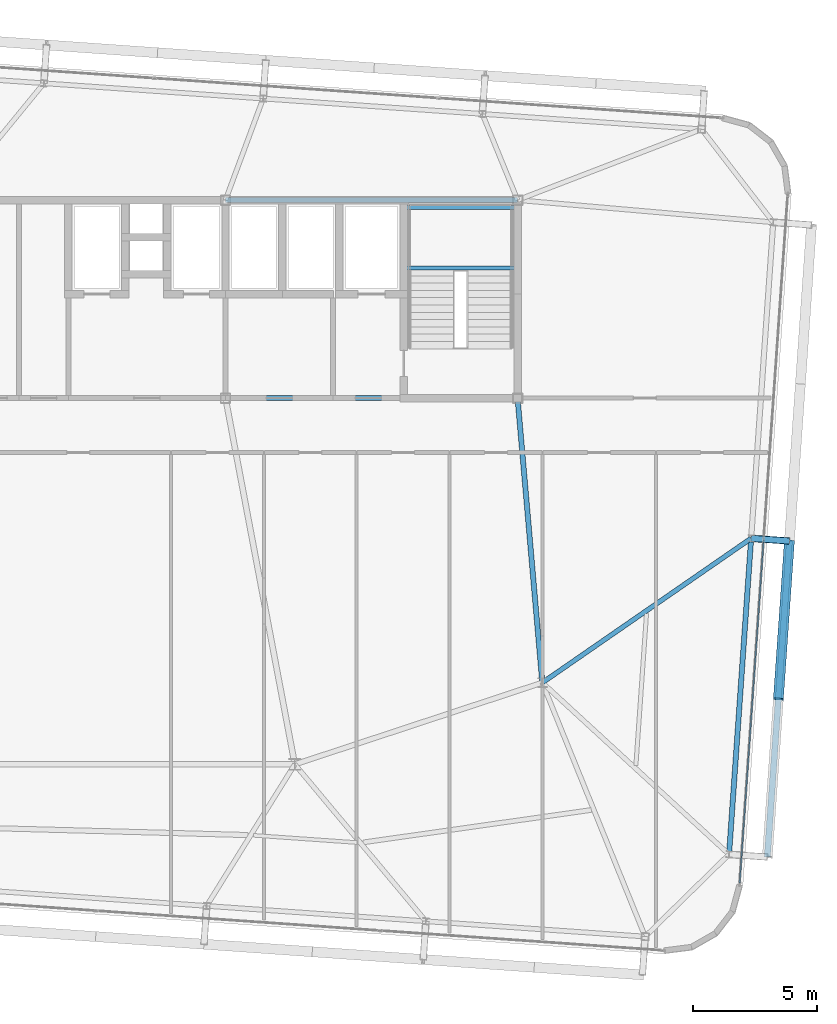
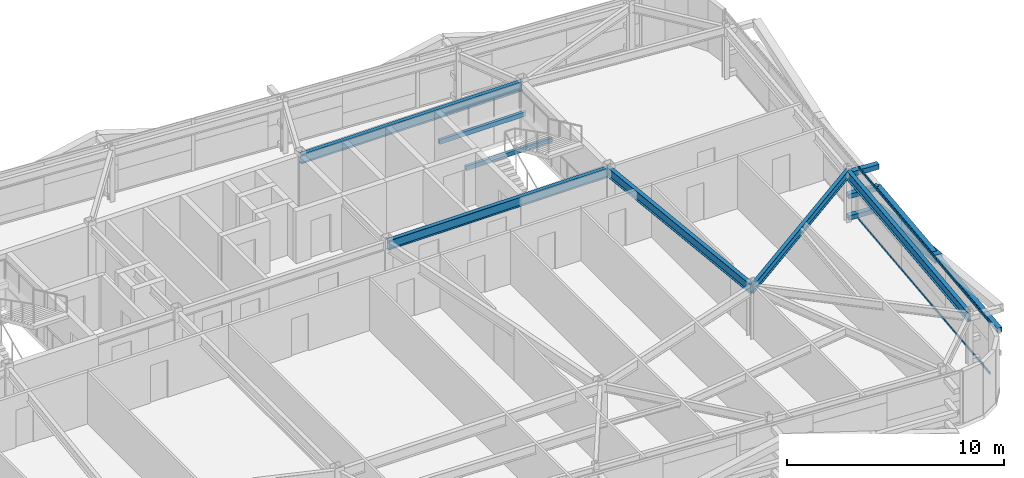
# One storey, part 16 of 39: 7 beams, 7 members, 1 element without a shape of its own.
"""IFC4 building model written with IfcOpenShell, lengths in metres."""

from ifc_helpers import new_model, si_unit, direction, frame, origin, origin_2d, place, context, subcontext, project, spatial, hollow_rectangle, i_section, extrude, source, transform, mapped, material, layer, layer_set, material_profile, profile_set, type_object, element, aggregate, save


model = new_model("IFC4")

# Units and contexts
model_context = context("Model", 3, precision=1e-05, world=origin(), true_north=direction((0.0, 1.0)))
body_context = subcontext(model_context, "Body", "Model", "MODEL_VIEW")
ifc_project = project(units=[si_unit("LENGTHUNIT", "METRE"), si_unit("AREAUNIT", "SQUARE_METRE"), si_unit("VOLUMEUNIT", "CUBIC_METRE"), si_unit("PLANEANGLEUNIT", "RADIAN"), si_unit("MASSUNIT", "GRAM", prefix="KILO")], contexts=[model_context])

# Site, building, storey
site_placement = place(None, origin())
site = spatial("IfcSite", under=ifc_project, at=site_placement, CompositionType="ELEMENT")
building_placement = place(site_placement, origin())
building = spatial("IfcBuilding", under=site, at=building_placement, Name="Taldren Reach Tower", CompositionType="ELEMENT")
storey_placement = place(building_placement, frame((0.0, 0.0, 136.14990234375)))
storey = spatial("IfcBuildingStorey", under=building, at=storey_placement, Name="L41", CompositionType="ELEMENT", Elevation=136.14990234375)

# Beams
ifc_material_1 = material(Name="Steel Gr 350 (350PLUS)", Category="steel")
ifc_material_profile_1 = material_profile(ifc_material_1, i_section(OverallWidth=0.208984375, OverallDepth=0.532958984375, WebThickness=0.01025390625, FlangeThickness=0.015625, at=origin_2d()), Name="530UB92.4")
ifc_profile_set_1 = profile_set([ifc_material_profile_1], Name="Steel Gr 350 (350PLUS)")
beam_type_1 = type_object("IfcBeamType", Name="BM-UB530A", PredefinedType="BEAM", material=ifc_profile_set_1)
shared_shape_1 = source(origin(), body_context, "Body", "SweptSolid", [
    extrude(i_section(OverallWidth=0.208984375, OverallDepth=0.532958984375, WebThickness=0.01025390625, FlangeThickness=0.015625, at=origin_2d()), origin(), (0.0, 0.0, 1.0), 11.800048828125),
])
for number, where, z_axis, x_axis, name in (
    (1, (39.199951171875, 24.0, 2.66357421875), (1.0, 0.0, 0.0), (0.0, 1.0, 0.0), "Core-spine girder L41-SP03"),
    (2, (39.199951171875, 32.0, 2.66357421875), (1.0, 0.0, 0.0), (0.0, 1.0, 0.0), "Core-spine girder L41-SP06"),
):
    element("IfcBeam", number, at=place(storey_placement, frame(where, z_axis=z_axis, x_axis=x_axis)), inside=storey, type_object=beam_type_1, Name=name, PredefinedType="BEAM", context=body_context, shape_type="MappedRepresentation", body=[
        mapped(shared_shape_1, transform((0.0, 0.0, 0.0), scale=1.0)),
    ])
shared_shape_2 = source(origin(), body_context, "Body", "SweptSolid", [
    extrude(i_section(OverallWidth=0.208984375, OverallDepth=0.532958984375, WebThickness=0.01025390625, FlangeThickness=0.015625, at=origin_2d()), origin(), (0.0, 0.0, 1.0), 11.54345703125),
])
beam_1_placement = place(storey_placement, frame((52.0, 12.5, 2.66357421875), z_axis=(-0.086629616365, 0.996240588196, 0.0), x_axis=(-0.996240588196, -0.086629616365, 0.0)))
element("IfcBeam", 3, at=beam_1_placement, inside=storey, type_object=beam_type_1, Name="Core-spine girder L41-SP13", PredefinedType="BEAM", context=body_context, shape_type="MappedRepresentation", body=[
    mapped(shared_shape_2, transform((0.0, 0.0, 0.0), scale=1.0)),
])

# Members
ifc_material_2 = material(Name="Steel Gr 450 (C450L0)", Category="steel")
ifc_material_profile_2 = material_profile(ifc_material_2, hollow_rectangle(XDim=0.27490234375, YDim=0.27490234375, WallThickness=0.00927734375, at=origin_2d()), Name="275x275x9.3SHS")
ifc_profile_set_2 = profile_set([ifc_material_profile_2], Name="Steel Gr 450 (C450L0)")
member_type_1 = type_object("IfcMemberType", Name="MB-TIE273", PredefinedType="STRUT", material=ifc_profile_set_2)
shared_shape_3 = source(origin(), body_context, "Body", "SweptSolid", [
    extrude(hollow_rectangle(XDim=0.27490234375, YDim=0.27490234375, WallThickness=0.00927734375, at=origin_2d()), origin(), (0.0, 0.0, 1.0), 1.5498046875),
])
member_1_placement = place(storey_placement, frame((60.438232421875, 18.331787109375, 2.650146484375), z_axis=(0.997562367434, -0.069780535098, 0.0), x_axis=(0.069780535098, 0.997562367434, 0.0)))
element("IfcMember", 4, at=member_1_placement, inside=storey, type_object=member_type_1, Name="Exoskeleton diaphragm tie strut B3-E2 L41", PredefinedType="STRUT", context=body_context, shape_type="MappedRepresentation", body=[
    mapped(shared_shape_3, transform((0.0, 0.0, 0.0), scale=1.0)),
])
ifc_material_3 = material(Name="Steel Gr 350 (C350L0)", Category="steel")
ifc_material_profile_3 = material_profile(ifc_material_3, hollow_rectangle(XDim=0.25, YDim=0.25, WallThickness=0.010009765625, at=origin_2d()), Name="250x250x10.0SHS")
ifc_profile_set_3 = profile_set([ifc_material_profile_3], Name="Steel Gr 350 (C350L0)")
member_type_2 = type_object("IfcMemberType", Name="MB-POST250", PredefinedType="POST", material=ifc_profile_set_3)
shared_shape_4 = source(origin(), body_context, "Body", "SweptSolid", [
    extrude(hollow_rectangle(XDim=0.25, YDim=0.25, WallThickness=0.010009765625, at=origin_2d()), origin(), (0.0, 0.0, 1.0), 1.5498046875),
])
for number, where, z_axis, x_axis, name in (
    (5, (60.438232421875, 18.331787109375, 0.22021484375), (0.997562367434, -0.069780535098, 0.0), (0.069780535098, 0.997562367434, 0.0), "Exoskeleton base diaphragm tie strut B3-E2 L41"),
    (6, (60.438232421875, 18.331787109375, 1.43505859375), (0.997562367434, -0.069780535098, 0.0), (0.069780535098, 0.997562367434, 0.0), "Exoskeleton mid-tier diaphragm tie B3-E2 L41"),
):
    element("IfcMember", number, at=place(storey_placement, frame(where, z_axis=z_axis, x_axis=x_axis)), inside=storey, type_object=member_type_2, Name=name, PredefinedType="POST", context=body_context, shape_type="MappedRepresentation", body=[
        mapped(shared_shape_4, transform((0.0, 0.0, 0.0), scale=1.0)),
    ])

# Beams
ifc_material_profile_4 = material_profile(ifc_material_1, i_section(OverallWidth=0.208984375, OverallDepth=0.528076171875, WebThickness=0.009521484375, FlangeThickness=0.01318359375, at=origin_2d()), Name="530UB82.0")
ifc_profile_set_4 = profile_set([ifc_material_profile_4], Name="Steel Gr 350 (350PLUS)")
beam_type_2 = type_object("IfcBeamType", Name="SP-UB530B", PredefinedType="SPANDREL", material=ifc_profile_set_4)
shared_shape_5 = source(origin(), body_context, "Body", "SweptSolid", [
    extrude(i_section(OverallWidth=0.208984375, OverallDepth=0.528076171875, WebThickness=0.009521484375, FlangeThickness=0.01318359375, at=origin_2d()), origin(), (0.0, 0.0, 1.0), 12.80029296875),
])
beam_2_placement = place(storey_placement, frame((59.54541015625, 5.562744140625, 2.666015625), z_axis=(0.069750549628, 0.997564464497, 0.0), x_axis=(-0.997564464497, 0.069750549628, 0.0)))
element("IfcBeam", 7, at=beam_2_placement, inside=storey, type_object=beam_type_2, Name="Perimeter spandrel B3 E1-E2 L41", PredefinedType="SPANDREL", context=body_context, shape_type="MappedRepresentation", body=[
    mapped(shared_shape_5, transform((0.0, 0.0, 0.0), scale=1.0)),
])
ifc_material_profile_5 = material_profile(ifc_material_1, i_section(OverallWidth=0.19091796875, OverallDepth=0.4599609375, WebThickness=0.010009765625, FlangeThickness=0.01611328125, at=origin_2d()), Name="460UB82.1")
ifc_profile_set_5 = profile_set([ifc_material_profile_5], Name="Steel Gr 350 (350PLUS)")
beam_type_3 = type_object("IfcBeamType", Name="BM-UB460A", PredefinedType="BEAM", material=ifc_profile_set_5)
shared_shape_6 = source(origin(), body_context, "Body", "SweptSolid", [
    extrude(i_section(OverallWidth=0.19091796875, OverallDepth=0.4599609375, WebThickness=0.010009765625, FlangeThickness=0.01611328125, at=origin_2d()), origin(), (0.0, 0.0, 1.0), 10.25732421875),
])
beam_3_placement = place(storey_placement, frame((52.0, 12.5, 2.7001953125), z_axis=(0.822651197727, 0.568546398175, 0.0), x_axis=(-0.568546398175, 0.822651197727, 0.0)))
element("IfcBeam", 8, at=beam_3_placement, inside=storey, type_object=beam_type_3, Name="Primary floor girder B3-E2 L41", PredefinedType="BEAM", context=body_context, shape_type="MappedRepresentation", body=[
    mapped(shared_shape_6, transform((0.0, 0.0, 0.0), scale=1.0)),
])

# Members
shared_shape_7 = source(origin(), body_context, "Body", "SweptSolid", [
    extrude(hollow_rectangle(XDim=0.25, YDim=0.25, WallThickness=0.010009765625, at=origin_2d()), origin(), (0.0, 0.0, 1.0), 12.800048828125),
])
member_2_placement = place(storey_placement, frame((61.091552734375, 5.454833984375, 1.43505859375), z_axis=(0.069751876777, 0.9975643717, 0.0), x_axis=(-0.9975643717, 0.069751876777, 0.0)))
element("IfcMember", 9, at=member_2_placement, inside=storey, type_object=member_type_2, Name="Exoskeleton mid-height ring chord B3-E1 L41", PredefinedType="POST", context=body_context, shape_type="MappedRepresentation", body=[
    mapped(shared_shape_7, transform((0.0, 0.0, 0.0), scale=1.0)),
])
ifc_material_profile_6 = material_profile(ifc_material_2, hollow_rectangle(XDim=0.409912109375, YDim=0.409912109375, WallThickness=0.01611328125, at=origin_2d()), Name="410x410x16.0SHS")
ifc_profile_set_6 = profile_set([ifc_material_profile_6], Name="Steel Gr 450 (C450L0)")
member_type_3 = type_object("IfcMemberType", Name="MB-EXO406", PredefinedType="BRACE", material=ifc_profile_set_6)
shared_shape_8 = source(origin(), body_context, "Body", "SweptSolid", [
    extrude(hollow_rectangle(XDim=0.409912109375, YDim=0.409912109375, WallThickness=0.01611328125, at=origin_2d()), origin(), (0.0, 0.0, 1.0), 6.514404296875),
])
member_3_placement = place(storey_placement, frame((61.984375, 18.2236328125, 0.22021484375), z_axis=(-0.068508304784, -0.980066016634, 0.186486501425), x_axis=(0.997565791441, -0.069731569223, 0.0)))
element("IfcMember", 10, at=member_3_placement, inside=storey, type_object=member_type_3, Name="Exoskeleton Diagrid Brace B3-E1 L41", PredefinedType="BRACE", context=body_context, shape_type="MappedRepresentation", body=[
    mapped(shared_shape_8, transform((0.0, 0.0, 0.0), scale=1.0)),
])

# Curtain wall, members
ifc_material_4 = material(Name="Aluminium and Low-E Glass Unitised System", Category="aluminium")
ifc_layer = layer(ifc_material_4, 0.159912109375)
ifc_layer_set = layer_set([ifc_layer], Name="Aluminium and Low-E Glass Unitised System")
curtain_wall_type = type_object("IfcCurtainWallType", Name="CW-SYS-4", PredefinedType="NOTDEFINED", material=ifc_layer_set)
curtain_wall_placement = place(storey_placement, origin())
curtain_wall = element("IfcCurtainWall", 11, at=curtain_wall_placement, inside=storey, type_object=curtain_wall_type, Name="Unitised curtain wall CW-L41-E", PredefinedType="NOTDEFINED")
ifc_material_5 = material(Name="Anodised Aluminium 6063-T6", Category="aluminium")
ifc_material_profile_7 = material_profile(ifc_material_5, hollow_rectangle(XDim=0.054931640625, YDim=0.1201171875, WallThickness=0.0029296875, at=origin_2d()), Name="ALU-120x55x3RHS")
ifc_profile_set_7 = profile_set([ifc_material_profile_7], Name="Anodised Aluminium 6063-T6")
member_type_4 = type_object("IfcMemberType", Name="CW-TRN-135", PredefinedType="USERDEFINED", material=ifc_profile_set_7)
shared_shape_9 = source(origin(), body_context, "Body", "SweptSolid", [
    extrude(hollow_rectangle(XDim=0.054931640625, YDim=0.1201171875, WallThickness=0.0029296875, at=origin_2d()), origin(), (0.0, 0.0, 1.0), 13.89501953125),
])
member_4_placement = place(storey_placement, frame((59.975341796875, 4.400146484375, 0.027587890625), z_axis=(0.069754817075, 0.997564166104, 0.0), x_axis=(-0.997564166104, 0.069754817075, 0.0)))
member_4 = element("IfcMember", 12, at=member_4_placement, type_object=member_type_4, Name="CW-4 transom 1.1", ObjectType="TRANSOM", PredefinedType="USERDEFINED", context=body_context, shape_type="MappedRepresentation", body=[
    mapped(shared_shape_9, transform((0.0, 0.0, 0.0), scale=1.0)),
])
member_5_placement = place(storey_placement, frame((59.975341796875, 4.400146484375, 2.902587890625), z_axis=(0.069754817075, 0.997564166104, 0.0), x_axis=(-0.997564166104, 0.069754817075, 0.0)))
member_5 = element("IfcMember", 13, at=member_5_placement, type_object=member_type_4, Name="CW-4 transom 1.2", ObjectType="TRANSOM", PredefinedType="USERDEFINED", context=body_context, shape_type="MappedRepresentation", body=[
    mapped(shared_shape_9, transform((0.0, 0.0, 0.0), scale=1.0)),
])
aggregate(curtain_wall, [member_4, member_5])

# Beams
ifc_material_profile_8 = material_profile(ifc_material_3, hollow_rectangle(XDim=0.14990234375, YDim=0.25, WallThickness=0.009033203125, at=origin_2d()), Name="250x150x9.0RHS")
ifc_profile_set_8 = profile_set([ifc_material_profile_8], Name="Steel Gr 350 (C350L0)")
beam_type_4 = type_object("IfcBeamType", Name="LN-RHS250", PredefinedType="LINTEL", material=ifc_profile_set_8)
shared_shape_10 = source(origin(), body_context, "Body", "SweptSolid", [
    extrude(hollow_rectangle(XDim=0.14990234375, YDim=0.25, WallThickness=0.009033203125, at=origin_2d()), origin(), (0.0, 0.0, 1.0), 4.60009765625),
])
for number, where, z_axis, x_axis, name in (
    (14, (46.39990234375, 29.2548828125, 1.27001953125), (1.0, 0.0, 0.0), (0.0, 1.0, 0.0), "Stair half-landing support beam ST2-L41-1"),
    (15, (46.39990234375, 31.699951171875, 1.27001953125), (1.0, 0.0, 0.0), (0.0, 1.0, 0.0), "Stair half-landing support beam ST2-L41-2"),
):
    element("IfcBeam", number, at=place(storey_placement, frame(where, z_axis=z_axis, x_axis=x_axis)), inside=storey, type_object=beam_type_4, Name=name, PredefinedType="LINTEL", context=body_context, shape_type="MappedRepresentation", body=[
        mapped(shared_shape_10, transform((0.0, 0.0, 0.0), scale=1.0)),
    ])

save(model, "model.ifc")
